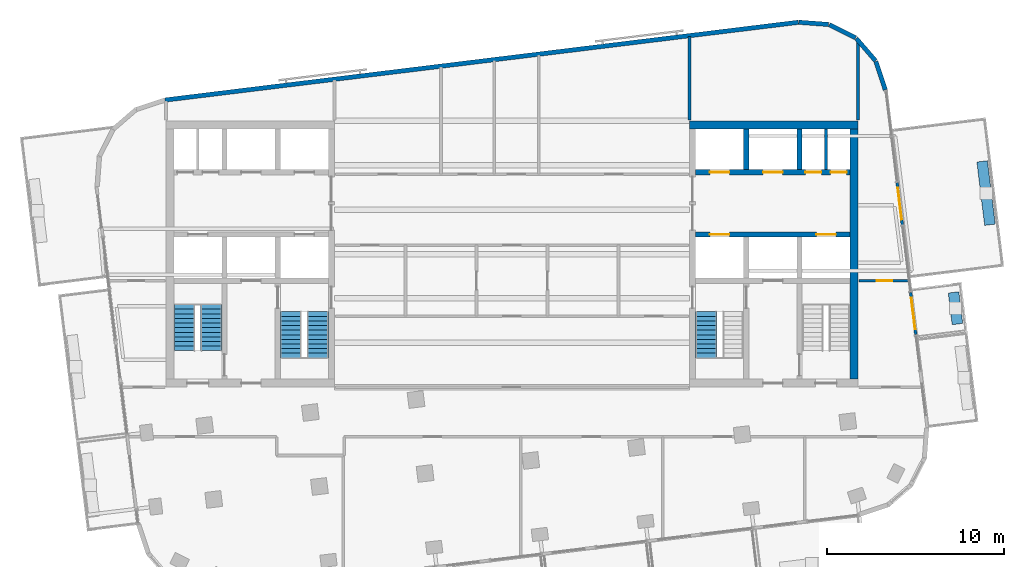
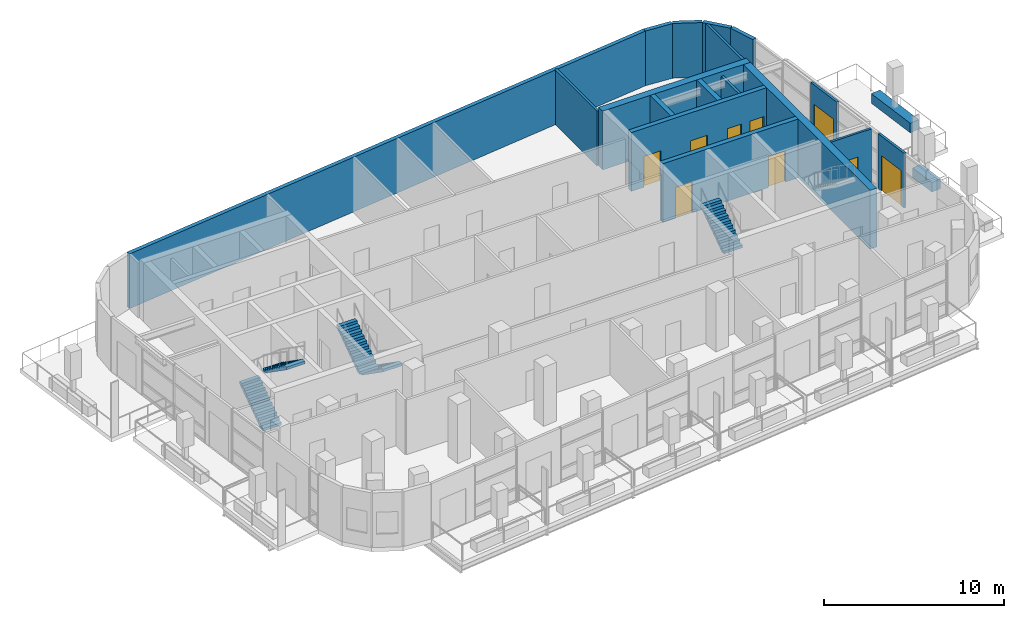
# One storey, part 10 of 14: 19 walls, 9 doors, 5 stair flights, 9 openings, 3 elements without a shape of their own.
"""IFC4 building model written with IfcOpenShell, lengths in metres."""

from ifc_helpers import new_model, si_unit, direction, frame, frame_2d, origin, place, context, subcontext, project, spatial, polyline, rectangle, outline, extrude, material, layer, layer_set, type_object, element, fill, aggregate, save


model = new_model("IFC4")

# Units and contexts
model_context = context("Model", 3, precision=1e-05, world=origin(), true_north=direction((0.0, 1.0)))
body_context = subcontext(model_context, "Body", "Model", "MODEL_VIEW")
ifc_project = project(units=[si_unit("LENGTHUNIT", "METRE"), si_unit("AREAUNIT", "SQUARE_METRE"), si_unit("VOLUMEUNIT", "CUBIC_METRE"), si_unit("PLANEANGLEUNIT", "RADIAN"), si_unit("MASSUNIT", "GRAM", prefix="KILO")], contexts=[model_context])

# Site, building, storey
site_placement = place(None, origin())
site = spatial("IfcSite", under=ifc_project, at=site_placement, CompositionType="ELEMENT")
building_placement = place(site_placement, origin())
building = spatial("IfcBuilding", under=site, at=building_placement, Name="Torana Hotel and Residences", CompositionType="ELEMENT")
storey_placement = place(building_placement, frame((0.0, 0.0, 338.60009765625)))
storey = spatial("IfcBuildingStorey", under=building, at=storey_placement, Name="L89", CompositionType="ELEMENT", Elevation=338.60009765625)

# Wall, openings, doors
ifc_material_1 = material(Name="Concrete C60/75", Category="concrete")
ifc_layer_1 = layer(ifc_material_1, 0.300048828125)
ifc_layer_set_1 = layer_set([ifc_layer_1], Name="CORE WALL 300 C60/75")
wall_type_1 = type_object("IfcWallType", Name="CORE WALL 300 C60/75", PredefinedType="SHEAR", material=ifc_layer_set_1)
wall_1_placement = place(storey_placement, frame((10.35009765625, -2.89990234375, 0.0), z_axis=(0.0, 0.0, 1.0), x_axis=(1.0, 0.0, 0.0)))
wall_1 = element("IfcWall", 1, at=wall_1_placement, inside=storey, type_object=wall_type_1, Name="Core wall E row-N", PredefinedType="SHEAR", context=body_context, shape_type="SweptSolid", body=[
    extrude(rectangle(XDim=8.699951171875, YDim=0.300048828125, at=frame_2d((4.35009765625, 0.0))), origin(), (0.0, 0.0, 1.0), 4.0),
])
opening_1_placement = place(wall_1_placement, frame((0.800048828125, 0.0, 0.0)))
opening_1 = element("IfcOpeningElement", 2, at=opening_1_placement, cuts=wall_1, Name="Opening LD", PredefinedType="OPENING", context=body_context, shape_type="SweptSolid", body=[
    extrude(rectangle(XDim=1.10009765625, YDim=2.10009765625, at=frame_2d((0.550048828125, 1.050048828125))), frame((0.0, 0.159912109375, 0.0), z_axis=(0.0, -1.0, 0.0), x_axis=(1.0, 0.0, 0.0)), (0.0, 0.0, 1.0), 0.320068359375),
])
opening_2_placement = place(wall_1_placement, frame((3.800048828125, 0.0, 0.0)))
opening_2 = element("IfcOpeningElement", 3, at=opening_2_placement, cuts=wall_1, Name="Opening LD", PredefinedType="OPENING", context=body_context, shape_type="SweptSolid", body=[
    extrude(rectangle(XDim=1.10009765625, YDim=2.10009765625, at=frame_2d((0.550048828125, 1.050048828125))), frame((0.0, 0.159912109375, 0.0), z_axis=(0.0, -1.0, 0.0), x_axis=(1.0, 0.0, 0.0)), (0.0, 0.0, 1.0), 0.320068359375),
])
opening_3_placement = place(wall_1_placement, frame((6.1875, 0.0, 0.0)))
opening_3 = element("IfcOpeningElement", 4, at=opening_3_placement, cuts=wall_1, Name="Opening L89-15", PredefinedType="OPENING", context=body_context, shape_type="SweptSolid", body=[
    extrude(rectangle(XDim=0.89990234375, YDim=2.10009765625, at=frame_2d((0.449951171875, 1.050048828125))), frame((0.0, 0.159912109375, 0.0), z_axis=(0.0, -1.0, 0.0), x_axis=(1.0, 0.0, 0.0)), (0.0, 0.0, 1.0), 0.320068359375),
])
opening_4_placement = place(wall_1_placement, frame((7.612548828125, 0.0, 0.0)))
opening_4 = element("IfcOpeningElement", 5, at=opening_4_placement, cuts=wall_1, Name="Opening L89-16", PredefinedType="OPENING", context=body_context, shape_type="SweptSolid", body=[
    extrude(rectangle(XDim=0.89990234375, YDim=2.10009765625, at=frame_2d((0.449951171875, 1.050048828125))), frame((0.0, 0.159912109375, 0.0), z_axis=(0.0, -1.0, 0.0), x_axis=(1.0, 0.0, 0.0)), (0.0, 0.0, 1.0), 0.320068359375),
])
ifc_material_2 = material(Name="Stainless steel 316", Category="steel")
door_type_1 = type_object("IfcDoorType", Name="LIFT LANDING DOOR LD 1100x2100", OperationType="DOUBLE_DOOR_SLIDING", PredefinedType="USERDEFINED", material=ifc_material_2)
door_1_placement = place(opening_1_placement, origin())
door_1 = element("IfcDoor", 6, at=door_1_placement, inside=storey, type_object=door_type_1, Name="Lift landing door H3 L89", ObjectType="LIFT LANDING DOOR", OperationType="DOUBLE_DOOR_SLIDING", OverallHeight=2.10009765625, OverallWidth=1.10009765625, PredefinedType="USERDEFINED", context=body_context, shape_type="SweptSolid", body=[
    extrude(rectangle(XDim=1.10009765625, YDim=2.10009765625, at=frame_2d((0.550048828125, 1.050048828125))), frame((0.0, 0.02490234375, 0.0), z_axis=(0.0, -1.0, 0.0), x_axis=(1.0, 0.0, 0.0)), (0.0, 0.0, 1.0), 0.050048828125),
])
fill(opening_1, door_1)
door_2_placement = place(opening_2_placement, origin())
door_2 = element("IfcDoor", 7, at=door_2_placement, inside=storey, type_object=door_type_1, Name="Lift landing door H4 L89", ObjectType="LIFT LANDING DOOR", OperationType="DOUBLE_DOOR_SLIDING", OverallHeight=2.10009765625, OverallWidth=1.10009765625, PredefinedType="USERDEFINED", context=body_context, shape_type="SweptSolid", body=[
    extrude(rectangle(XDim=1.10009765625, YDim=2.10009765625, at=frame_2d((0.550048828125, 1.050048828125))), frame((0.0, 0.02490234375, 0.0), z_axis=(0.0, -1.0, 0.0), x_axis=(1.0, 0.0, 0.0)), (0.0, 0.0, 1.0), 0.050048828125),
])
fill(opening_2, door_2)
ifc_material_3 = material(Name="Steel S235", Category="steel")
door_type_2 = type_object("IfcDoorType", Name="RISER ACCESS DOOR D5 900x2100", OperationType="SINGLE_SWING_LEFT", PredefinedType="DOOR", material=ifc_material_3)
door_3_placement = place(opening_3_placement, origin())
door_3 = element("IfcDoor", 8, at=door_3_placement, inside=storey, type_object=door_type_2, Name="N2A door L89", OperationType="SINGLE_SWING_RIGHT", OverallHeight=2.10009765625, OverallWidth=0.89990234375, PredefinedType="DOOR", context=body_context, shape_type="SweptSolid", body=[
    extrude(rectangle(XDim=0.89990234375, YDim=2.10009765625, at=frame_2d((0.449951171875, 1.050048828125))), frame((0.0, 0.02490234375, 0.0), z_axis=(0.0, -1.0, 0.0), x_axis=(1.0, 0.0, 0.0)), (0.0, 0.0, 1.0), 0.050048828125),
])
fill(opening_3, door_3)
door_4_placement = place(opening_4_placement, origin())
door_4 = element("IfcDoor", 9, at=door_4_placement, inside=storey, type_object=door_type_2, Name="N2B door L89", OperationType="SINGLE_SWING_RIGHT", OverallHeight=2.10009765625, OverallWidth=0.89990234375, PredefinedType="DOOR", context=body_context, shape_type="SweptSolid", body=[
    extrude(rectangle(XDim=0.89990234375, YDim=2.10009765625, at=frame_2d((0.449951171875, 1.050048828125))), frame((0.0, 0.02490234375, 0.0), z_axis=(0.0, -1.0, 0.0), x_axis=(1.0, 0.0, 0.0)), (0.0, 0.0, 1.0), 0.050048828125),
])
fill(opening_4, door_4)

wall_2_placement = place(storey_placement, frame((10.35009765625, -6.39990234375, 0.0), z_axis=(0.0, 0.0, 1.0), x_axis=(1.0, 0.0, 0.0)))
wall_2 = element("IfcWall", 10, at=wall_2_placement, inside=storey, type_object=wall_type_1, Name="Core wall E row-S", PredefinedType="SHEAR", context=body_context, shape_type="SweptSolid", body=[
    extrude(rectangle(XDim=8.699951171875, YDim=0.300048828125, at=frame_2d((4.35009765625, 0.0))), origin(), (0.0, 0.0, 1.0), 4.0),
])
opening_5_placement = place(wall_2_placement, frame((0.800048828125, 0.0, 0.0)))
opening_5 = element("IfcOpeningElement", 11, at=opening_5_placement, cuts=wall_2, Name="Opening LD", PredefinedType="OPENING", context=body_context, shape_type="SweptSolid", body=[
    extrude(rectangle(XDim=1.10009765625, YDim=2.10009765625, at=frame_2d((0.550048828125, 1.050048828125))), frame((0.0, 0.159912109375, 0.0), z_axis=(0.0, -1.0, 0.0), x_axis=(1.0, 0.0, 0.0)), (0.0, 0.0, 1.0), 0.320068359375),
])
opening_6_placement = place(wall_2_placement, frame((6.800048828125, 0.0, 0.0)))
opening_6 = element("IfcOpeningElement", 12, at=opening_6_placement, cuts=wall_2, Name="Opening LD", PredefinedType="OPENING", context=body_context, shape_type="SweptSolid", body=[
    extrude(rectangle(XDim=1.10009765625, YDim=2.10009765625, at=frame_2d((0.550048828125, 1.050048828125))), frame((0.0, 0.159912109375, 0.0), z_axis=(0.0, -1.0, 0.0), x_axis=(1.0, 0.0, 0.0)), (0.0, 0.0, 1.0), 0.320068359375),
])
door_5_placement = place(opening_5_placement, origin())
door_5 = element("IfcDoor", 13, at=door_5_placement, inside=storey, type_object=door_type_1, Name="Lift landing door X2 L89", ObjectType="LIFT LANDING DOOR", OperationType="DOUBLE_DOOR_SLIDING", OverallHeight=2.10009765625, OverallWidth=1.10009765625, PredefinedType="USERDEFINED", context=body_context, shape_type="SweptSolid", body=[
    extrude(rectangle(XDim=1.10009765625, YDim=2.10009765625, at=frame_2d((0.550048828125, 1.050048828125))), frame((0.0, 0.02490234375, 0.0), z_axis=(0.0, -1.0, 0.0), x_axis=(1.0, 0.0, 0.0)), (0.0, 0.0, 1.0), 0.050048828125),
])
fill(opening_5, door_5)
door_6_placement = place(opening_6_placement, origin())
door_6 = element("IfcDoor", 14, at=door_6_placement, inside=storey, type_object=door_type_1, Name="Lift landing door SV2 L89", ObjectType="LIFT LANDING DOOR", OperationType="DOUBLE_DOOR_SLIDING", OverallHeight=2.10009765625, OverallWidth=1.10009765625, PredefinedType="USERDEFINED", context=body_context, shape_type="SweptSolid", body=[
    extrude(rectangle(XDim=1.10009765625, YDim=2.10009765625, at=frame_2d((0.550048828125, 1.050048828125))), frame((0.0, 0.02490234375, 0.0), z_axis=(0.0, -1.0, 0.0), x_axis=(1.0, 0.0, 0.0)), (0.0, 0.0, 1.0), 0.050048828125),
])
fill(opening_6, door_6)

# Walls
for number, where, z_axis, x_axis, name in (
    (15, (13.199951171875, -2.75, 0.0), (0.0, 0.0, 1.0), (0.0, 1.0, 0.0), "Core wall E x3.05-N"),
    (16, (16.199951171875, -2.75, 0.0), (0.0, 0.0, 1.0), (0.0, 1.0, 0.0), "Core wall E x6.05-N"),
):
    element("IfcWall", number, at=place(storey_placement, frame(where, z_axis=z_axis, x_axis=x_axis)), inside=storey, type_object=wall_type_1, Name=name, PredefinedType="SHEAR", context=body_context, shape_type="SweptSolid", body=[
        extrude(rectangle(XDim=2.300048828125, YDim=0.300048828125, at=frame_2d((1.14990234375, 0.0))), origin(), (0.0, 0.0, 1.0), 4.0),
    ])
ifc_material_4 = material(Name="Concrete C60/75", Category="concrete")
ifc_layer_2 = layer(ifc_material_4, 0.449951171875)
ifc_layer_set_2 = layer_set([ifc_layer_2], Name="CORE WALL 450 C60/75")
wall_type_2 = type_object("IfcWallType", Name="CORE WALL 450 C60/75", PredefinedType="SHEAR", material=ifc_layer_set_2)
wall_3_placement = place(storey_placement, frame((10.0, -0.22509765625, 0.0), z_axis=(0.0, 0.0, 1.0), x_axis=(1.0, 0.0, 0.0)))
element("IfcWall", 17, at=wall_3_placement, inside=storey, type_object=wall_type_2, Name="Core wall E rear", PredefinedType="SHEAR", context=body_context, shape_type="SweptSolid", body=[
    extrude(rectangle(XDim=9.5, YDim=0.449951171875, at=frame_2d((4.75, 0.0))), origin(), (0.0, 0.0, 1.0), 4.0),
])
wall_4_placement = place(storey_placement, frame((19.27490234375, -14.550048828125, 0.0), z_axis=(0.0, 0.0, 1.0), x_axis=(0.0, 1.0, 0.0)))
element("IfcWall", 18, at=wall_4_placement, inside=storey, type_object=wall_type_2, Name="Core wall E outer", PredefinedType="SHEAR", context=body_context, shape_type="SweptSolid", body=[
    extrude(rectangle(XDim=14.10009765625, YDim=0.449951171875, at=frame_2d((7.050048828125, 0.0))), origin(), (0.0, 0.0, 1.0), 4.0),
])
ifc_material_5 = material(Name="Black aluminium composite panel", Category="aluminium")
ifc_layer_3 = layer(ifc_material_5, 0.00390625, Name="Cladding", Category="cladding")
ifc_material_6 = material(Name="Ventilated air cavity")
ifc_layer_4 = layer(ifc_material_6, 0.0400390625, Name="Ventilated cavity", Category="cavity")
ifc_material_7 = material(Name="Mineral wool insulation")
ifc_layer_5 = layer(ifc_material_7, 0.090087890625, Name="Insulation", Category="insulation")
ifc_material_8 = material(Name="Steel S280GD", Category="steel")
ifc_layer_6 = layer(ifc_material_8, 0.092041015625, Name="Steel stud frame", Category="structure")
ifc_material_9 = material(Name="Fire rated plasterboard")
ifc_layer_7 = layer(ifc_material_9, 0.011962890625, Name="Inner board", Category="finish")
ifc_layer_8 = layer(ifc_material_9, 0.011962890625, Name="Second board", Category="finish")
ifc_layer_set_3 = layer_set([ifc_layer_3, ifc_layer_4, ifc_layer_5, ifc_layer_6, ifc_layer_7, ifc_layer_8], Name="EW1 EXTERNAL WALL BLACK METAL CLAD 250")
wall_type_3 = type_object("IfcWallType", Name="EW1 EXTERNAL WALL BLACK METAL CLAD 250", PredefinedType="SOLIDWALL", material=ifc_layer_set_3)
wall_5_placement = place(storey_placement, frame((21.035888671875, 1.754638671875, 0.0), z_axis=(0.0, 0.0, 1.0), x_axis=(-0.313046160822, 0.949737911844, 0.0)))
element("IfcWall", 19, at=wall_5_placement, inside=storey, type_object=wall_type_3, Name="External wall L89 e0.0", PredefinedType="SOLIDWALL", context=body_context, shape_type="SweptSolid", body=[
    extrude(rectangle(XDim=1.681396484375, YDim=0.25, at=frame_2d((0.8408203125, 0.0))), origin(), (0.0, 0.0, 1.0), 3.719970703125),
])
for number, where, z_axis, x_axis, name in (
    (20, (20.4853515625, 3.39404296875, 0.0), (0.0, 0.0, 1.0), (-0.652755886531, 0.757568315466, 0.0), "External wall L89 e0.1"),
    (21, (19.36572265625, 4.678955078125, 0.0), (0.0, 0.0, 1.0), (-0.893007580524, 0.450041621549, 0.0), "External wall L89 e0.2"),
):
    element("IfcWall", number, at=place(storey_placement, frame(where, z_axis=z_axis, x_axis=x_axis)), inside=storey, type_object=wall_type_3, Name=name, PredefinedType="SOLIDWALL", context=body_context, shape_type="SweptSolid", body=[
        extrude(rectangle(XDim=1.65625, YDim=0.25, at=frame_2d((0.828125, 0.0))), origin(), (0.0, 0.0, 1.0), 3.719970703125),
    ])
wall_6_placement = place(storey_placement, frame((17.839599609375, 5.4375, 0.0), z_axis=(0.0, 0.0, 1.0), x_axis=(-0.997254267475, 0.074053534713, 0.0)))
element("IfcWall", 22, at=wall_6_placement, inside=storey, type_object=wall_type_3, Name="External wall L89 e0.3", PredefinedType="SOLIDWALL", context=body_context, shape_type="SweptSolid", body=[
    extrude(rectangle(XDim=1.681396484375, YDim=0.25, at=frame_2d((0.8408203125, 0.0))), origin(), (0.0, 0.0, 1.0), 3.719970703125),
])
ifc_material_10 = material(Name="Concrete C40/50 precast", Category="concrete")
ifc_layer_9 = layer(ifc_material_10, 0.10009765625, Name="Perforated block", Category="cladding")
ifc_material_11 = material(Name="Air cavity")
ifc_layer_10 = layer(ifc_material_11, 0.030029296875, Name="Cavity", Category="cavity")
ifc_material_12 = material(Name="Concrete C40/50", Category="concrete")
ifc_layer_11 = layer(ifc_material_12, 0.10009765625, Name="Wall", Category="structure")
ifc_material_13 = material(Name="Plaster and paint")
ifc_layer_12 = layer(ifc_material_13, 0.02001953125, Name="Inner finish", Category="finish")
ifc_layer_set_4 = layer_set([ifc_layer_9, ifc_layer_10, ifc_layer_11, ifc_layer_12], Name="EW2 PERFORATED BLOCK SCREEN WALL 250")
wall_type_4 = type_object("IfcWallType", Name="EW2 PERFORATED BLOCK SCREEN WALL 250", PredefinedType="SOLIDWALL", material=ifc_layer_set_4)
wall_7_placement = place(storey_placement, frame((16.13818359375, 5.561279296875, 0.0), z_axis=(0.0, 0.0, 1.0), x_axis=(-0.992546726876, -0.121864658405, 0.0)))
element("IfcWall", 23, at=wall_7_placement, inside=storey, type_object=wall_type_4, Name="External wall L89 e0.4", PredefinedType="SOLIDWALL", context=body_context, shape_type="SweptSolid", body=[
    extrude(rectangle(XDim=35.95068359375, YDim=0.25, at=frame_2d((17.975341796875, 0.0))), origin(), (0.0, 0.0, 1.0), 3.719970703125),
])
ifc_material_14 = material(Name="Gypsum plaster")
ifc_layer_13 = layer(ifc_material_14, 0.014892578125, Name="Plaster", Category="finish")
ifc_material_15 = material(Name="Concrete blockwork", Category="masonry")
ifc_layer_14 = layer(ifc_material_15, 0.1201171875, Name="Blockwork", Category="structure")
ifc_layer_15 = layer(ifc_material_14, 0.014892578125, Name="Plaster", Category="finish")
ifc_layer_set_5 = layer_set([ifc_layer_13, ifc_layer_14, ifc_layer_15], Name="FIRE PARTITION 150 BLOCKWORK")
wall_type_5 = type_object("IfcWallType", Name="FIRE PARTITION 150 BLOCKWORK", PredefinedType="PARTITIONING", material=ifc_layer_set_5)
wall_8_placement = place(storey_placement, frame((17.699951171875, -2.75, 0.0), z_axis=(0.0, 0.0, 1.0), x_axis=(0.0, 1.0, 0.0)))
element("IfcWall", 24, at=wall_8_placement, inside=storey, type_object=wall_type_5, Name="Core partition L89", PredefinedType="PARTITIONING", context=body_context, shape_type="SweptSolid", body=[
    extrude(rectangle(XDim=2.300048828125, YDim=0.14990234375, at=frame_2d((1.14990234375, 0.0))), origin(), (0.0, 0.0, 1.0), 3.699951171875),
])

# Wall, opening, door
ifc_material_16 = material(Name="Dark glass screen in aluminium frame", Category="aluminium")
ifc_layer_16 = layer(ifc_material_16, 0.14990234375)
ifc_layer_set_6 = layer_set([ifc_layer_16], Name="GS1 GLAZED DOOR SCREEN 150")
wall_type_6 = type_object("IfcWallType", Name="GS1 GLAZED DOOR SCREEN 150", PredefinedType="USERDEFINED", material=ifc_layer_set_6)
wall_9_placement = place(storey_placement, frame((22.757080078125, -12.0380859375, 0.0), z_axis=(0.0, 0.0, 1.0), x_axis=(-0.121868445399, 0.992546261902, 0.0)))
wall_9 = element("IfcWall", 25, at=wall_9_placement, inside=storey, type_object=wall_type_6, Name="Glazed door screen L89", ObjectType="GLAZED SCREEN", PredefinedType="USERDEFINED", context=body_context, shape_type="SweptSolid", body=[
    extrude(rectangle(XDim=2.39990234375, YDim=0.14990234375, at=frame_2d((1.199951171875, 0.0))), origin(), (0.0, 0.0, 1.0), 3.719970703125),
])
opening_7_placement = place(wall_9_placement, frame((0.300048828125, 0.0, 0.0)))
opening_7 = element("IfcOpeningElement", 26, at=opening_7_placement, cuts=wall_9, Name="Opening L89-E11", PredefinedType="OPENING", context=body_context, shape_type="SweptSolid", body=[
    extrude(rectangle(XDim=1.800048828125, YDim=2.39990234375, at=frame_2d((0.89990234375, 1.199951171875))), frame((0.0, 0.0849609375, 0.0), z_axis=(0.0, -1.0, 0.0), x_axis=(1.0, 0.0, 0.0)), (0.0, 0.0, 1.0), 0.169921875),
])
ifc_material_17 = material(Name="Dark glass in black aluminium frame", Category="aluminium")
door_type_3 = type_object("IfcDoorType", Name="DB1 BALCONY DOOR 1800x2400", OperationType="DOUBLE_DOOR_SINGLE_SWING", PredefinedType="DOOR", material=ifc_material_17)
door_7_placement = place(opening_7_placement, origin())
door_7 = element("IfcDoor", 27, at=door_7_placement, inside=storey, type_object=door_type_3, Name="Balcony door L89", OperationType="DOUBLE_DOOR_SINGLE_SWING", OverallHeight=2.39990234375, OverallWidth=1.800048828125, PredefinedType="DOOR", context=body_context, shape_type="SweptSolid", body=[
    extrude(rectangle(XDim=1.800048828125, YDim=2.39990234375, at=frame_2d((0.89990234375, 1.199951171875))), frame((0.0, 0.02490234375, 0.0), z_axis=(0.0, -1.0, 0.0), x_axis=(1.0, 0.0, 0.0)), (0.0, 0.0, 1.0), 0.050048828125),
])
fill(opening_7, door_7)

wall_10_placement = place(storey_placement, frame((21.99755859375, -5.853271484375, 0.0), z_axis=(0.0, 0.0, 1.0), x_axis=(-0.121868445399, 0.992546261902, 0.0)))
wall_10 = element("IfcWall", 28, at=wall_10_placement, inside=storey, type_object=wall_type_6, Name="Glazed door screen L89", ObjectType="GLAZED SCREEN", PredefinedType="USERDEFINED", context=body_context, shape_type="SweptSolid", body=[
    extrude(rectangle(XDim=2.39990234375, YDim=0.14990234375, at=frame_2d((1.199951171875, 0.0))), origin(), (0.0, 0.0, 1.0), 3.719970703125),
])
opening_8_placement = place(wall_10_placement, frame((0.300048828125, 0.0, 0.0)))
opening_8 = element("IfcOpeningElement", 29, at=opening_8_placement, cuts=wall_10, Name="Opening L89-E12", PredefinedType="OPENING", context=body_context, shape_type="SweptSolid", body=[
    extrude(rectangle(XDim=1.800048828125, YDim=2.39990234375, at=frame_2d((0.89990234375, 1.199951171875))), frame((0.0, 0.0849609375, 0.0), z_axis=(0.0, -1.0, 0.0), x_axis=(1.0, 0.0, 0.0)), (0.0, 0.0, 1.0), 0.169921875),
])
door_8_placement = place(opening_8_placement, origin())
door_8 = element("IfcDoor", 30, at=door_8_placement, inside=storey, type_object=door_type_3, Name="Balcony door L89", OperationType="DOUBLE_DOOR_SINGLE_SWING", OverallHeight=2.39990234375, OverallWidth=1.800048828125, PredefinedType="DOOR", context=body_context, shape_type="SweptSolid", body=[
    extrude(rectangle(XDim=1.800048828125, YDim=2.39990234375, at=frame_2d((0.89990234375, 1.199951171875))), frame((0.0, 0.02490234375, 0.0), z_axis=(0.0, -1.0, 0.0), x_axis=(1.0, 0.0, 0.0)), (0.0, 0.0, 1.0), 0.050048828125),
])
fill(opening_8, door_8)

# Walls
ifc_material_18 = material(Name="Gypsum plasterboard")
ifc_layer_17 = layer(ifc_material_18, 0.012451171875, Name="Plasterboard", Category="finish")
ifc_layer_18 = layer(ifc_material_18, 0.012451171875, Name="Plasterboard", Category="finish")
ifc_layer_19 = layer(ifc_material_8, 0.10009765625, Name="Steel studs with mineral wool", Category="insulation")
ifc_layer_20 = layer(ifc_material_18, 0.012451171875, Name="Plasterboard", Category="finish")
ifc_layer_21 = layer(ifc_material_18, 0.012451171875, Name="Plasterboard", Category="finish")
ifc_layer_set_7 = layer_set([ifc_layer_17, ifc_layer_18, ifc_layer_19, ifc_layer_20, ifc_layer_21], Name="PARTITION 150 PLASTERBOARD")
wall_type_7 = type_object("IfcWallType", Name="PARTITION 150 PLASTERBOARD", PredefinedType="PARTITIONING", material=ifc_layer_set_7)
wall_11_placement = place(storey_placement, frame((19.5, 0.050048828125, 0.0), z_axis=(0.0, 0.0, 1.0), x_axis=(0.0, 1.0, 0.0)))
element("IfcWall", 31, at=wall_11_placement, inside=storey, type_object=wall_type_7, Name="Partition L89", PredefinedType="PARTITIONING", context=body_context, shape_type="SweptSolid", body=[
    extrude(rectangle(XDim=4.4033203125, YDim=0.14990234375, at=frame_2d((2.20166015625, 0.0))), origin(), (0.0, 0.0, 1.0), 3.719970703125),
])
wall_12_placement = place(storey_placement, frame((10.0, 0.050048828125, 0.0), z_axis=(0.0, 0.0, 1.0), x_axis=(0.0, 1.0, 0.0)))
element("IfcWall", 32, at=wall_12_placement, inside=storey, type_object=wall_type_7, Name="Partition L89", PredefinedType="PARTITIONING", context=body_context, shape_type="SweptSolid", body=[
    extrude(rectangle(XDim=4.7021484375, YDim=0.14990234375, at=frame_2d((2.35107421875, 0.0))), origin(), (0.0, 0.0, 1.0), 3.719970703125),
])

# Wall, opening, door
wall_13_placement = place(storey_placement, frame((19.550048828125, -9.0, 0.0), z_axis=(0.0, 0.0, 1.0), x_axis=(1.0, 0.0, 0.0)))
wall_13 = element("IfcWall", 33, at=wall_13_placement, inside=storey, type_object=wall_type_7, Name="Partition L89", PredefinedType="PARTITIONING", context=body_context, shape_type="SweptSolid", body=[
    extrude(rectangle(XDim=2.75341796875, YDim=0.14990234375, at=frame_2d((1.376708984375, 0.0))), origin(), (0.0, 0.0, 1.0), 3.719970703125),
])
opening_9_placement = place(wall_13_placement, frame((0.991943359375, 0.0, 0.0)))
opening_9 = element("IfcOpeningElement", 34, at=opening_9_placement, cuts=wall_13, Name="Opening L89-38", PredefinedType="OPENING", context=body_context, shape_type="SweptSolid", body=[
    extrude(rectangle(XDim=0.89990234375, YDim=2.10009765625, at=frame_2d((0.449951171875, 1.050048828125))), frame((0.0, 0.0849609375, 0.0), z_axis=(0.0, -1.0, 0.0), x_axis=(1.0, 0.0, 0.0)), (0.0, 0.0, 1.0), 0.169921875),
])
ifc_material_19 = material(Name="Timber door, oiled ash", Category="wood")
door_type_4 = type_object("IfcDoorType", Name="ROOM DOOR D7 900x2100", OperationType="SINGLE_SWING_LEFT", PredefinedType="DOOR", material=ifc_material_19)
door_9_placement = place(opening_9_placement, origin())
door_9 = element("IfcDoor", 35, at=door_9_placement, inside=storey, type_object=door_type_4, Name="Door L89", OperationType="SINGLE_SWING_LEFT", OverallHeight=2.10009765625, OverallWidth=0.89990234375, PredefinedType="DOOR", context=body_context, shape_type="SweptSolid", body=[
    extrude(rectangle(XDim=0.89990234375, YDim=2.10009765625, at=frame_2d((0.449951171875, 1.050048828125))), frame((0.0, 0.02490234375, 0.0), z_axis=(0.0, -1.0, 0.0), x_axis=(1.0, 0.0, 0.0)), (0.0, 0.0, 1.0), 0.050048828125),
])
fill(opening_9, door_9)

# Walls
ifc_layer_22 = layer(ifc_material_10, 0.10009765625, Name="Planter shell", Category="structure")
ifc_material_20 = material(Name="Root resistant membrane")
ifc_layer_23 = layer(ifc_material_20, 0.00390625, Name="Waterproofing membrane", Category="membrane")
ifc_material_21 = material(Name="Drainage board with filter fleece")
ifc_layer_24 = layer(ifc_material_21, 0.02001953125, Name="Drainage board", Category="drainage")
ifc_material_22 = material(Name="Growing medium")
ifc_layer_25 = layer(ifc_material_22, 0.47607421875, Name="Planting substrate", Category="soil")
ifc_layer_set_8 = layer_set([ifc_layer_22, ifc_layer_23, ifc_layer_24, ifc_layer_25], Name="PL1 BALCONY PLANTER 600")
wall_type_8 = type_object("IfcWallType", Name="PL1 BALCONY PLANTER 600", PredefinedType="USERDEFINED", material=ifc_layer_set_8)
wall_14_placement = place(storey_placement, frame((24.88330078125, -9.66162109375, 0.0), z_axis=(0.0, 0.0, 1.0), x_axis=(0.121830336845, -0.992550940267, 0.0)))
element("IfcWall", 36, at=wall_14_placement, inside=storey, type_object=wall_type_8, Name="Planter 11", ObjectType="PLANTER", PredefinedType="USERDEFINED", context=body_context, shape_type="SweptSolid", body=[
    extrude(rectangle(XDim=1.799560546875, YDim=0.60009765625, at=frame_2d((0.89990234375, 0.0))), origin(), (0.0, 0.0, 1.0), 0.64990234375),
])
wall_15_placement = place(storey_placement, frame((26.49560546875, -2.2783203125, 0.0), z_axis=(0.0, 0.0, 1.0), x_axis=(0.121864343918, -0.992546765488, 0.0)))
element("IfcWall", 37, at=wall_15_placement, inside=storey, type_object=wall_type_8, Name="Planter 12", ObjectType="PLANTER", PredefinedType="USERDEFINED", context=body_context, shape_type="SweptSolid", body=[
    extrude(rectangle(XDim=3.60009765625, YDim=0.60009765625, at=frame_2d((1.800048828125, 0.0))), origin(), (0.0, 0.0, 1.0), 0.64990234375),
])

# Stair, stair flights
ifc_material_23 = material(Name="Concrete C40/50 precast", Category="concrete")
stair_type_1 = type_object("IfcStairType", Name="STAIR ST1 HALF TURN 1200", PredefinedType="HALF_TURN_STAIR", material=ifc_material_23)
stair_1_placement = place(storey_placement, origin())
stair_1 = element("IfcStair", 38, at=stair_1_placement, inside=storey, type_object=stair_type_1, Name="Stair ST1 L89", PredefinedType="HALF_TURN_STAIR")
ifc_material_24 = material(Name="Concrete C40/50 precast", Category="concrete")
stair_flight_type = type_object("IfcStairFlightType", Name="STAIR FLIGHT 1200 PRECAST", PredefinedType="STRAIGHT", material=ifc_material_24)
stair_flight_1_placement = place(storey_placement, frame((-10.949951171875, -10.75, 0.0), z_axis=(0.0, 0.0, 1.0), x_axis=(0.0, -1.0, 0.0)))
stair_flight_1 = element("IfcStairFlight", 39, at=stair_flight_1_placement, type_object=stair_flight_type, Name="ST1 flight 1", NumberOfRisers=11, NumberOfTreads=10, PredefinedType="STRAIGHT", RiserHeight=0.181818182, TreadLength=0.26, context=body_context, shape_type="SweptSolid", body=[
    extrude(outline(polyline([(0.0, 0.0), (0.0, 0.181884765625), (0.260009765625, 0.181884765625), (0.260009765625, 0.363525390625), (0.52001953125, 0.363525390625), (0.52001953125, 0.54541015625), (0.780029296875, 0.54541015625), (0.780029296875, 0.727294921875), (1.0400390625, 0.727294921875), (1.0400390625, 0.9091796875), (1.300048828125, 0.9091796875), (1.300048828125, 1.0908203125), (1.56005859375, 1.0908203125), (1.56005859375, 1.272705078125), (1.820068359375, 1.272705078125), (1.820068359375, 1.45458984375), (2.080078125, 1.45458984375), (2.080078125, 1.636474609375), (2.340087890625, 1.636474609375), (2.340087890625, 1.818115234375), (2.60009765625, 1.818115234375), (2.60009765625, 2.0), (2.60009765625, 1.63525390625), (0.261474609375, 0.0), (0.0, 0.0)])), frame((0.0, 0.60009765625, 0.0), z_axis=(0.0, -1.0, 0.0), x_axis=(1.0, 0.0, 0.0)), (0.0, 0.0, 1.0), 1.199951171875),
])
stair_flight_2_placement = place(storey_placement, frame((-12.449951171875, -13.35009765625, 2.0), z_axis=(0.0, 0.0, 1.0), x_axis=(0.0, 1.0, 0.0)))
stair_flight_2 = element("IfcStairFlight", 40, at=stair_flight_2_placement, type_object=stair_flight_type, Name="ST1 flight 2", NumberOfRisers=11, NumberOfTreads=10, PredefinedType="STRAIGHT", RiserHeight=0.181818182, TreadLength=0.26, context=body_context, shape_type="SweptSolid", body=[
    extrude(outline(polyline([(0.0, 0.0), (0.0, 0.181884765625), (0.260009765625, 0.181884765625), (0.260009765625, 0.363525390625), (0.52001953125, 0.363525390625), (0.52001953125, 0.54541015625), (0.780029296875, 0.54541015625), (0.780029296875, 0.727294921875), (1.0400390625, 0.727294921875), (1.0400390625, 0.9091796875), (1.300048828125, 0.9091796875), (1.300048828125, 1.0908203125), (1.56005859375, 1.0908203125), (1.56005859375, 1.272705078125), (1.820068359375, 1.272705078125), (1.820068359375, 1.45458984375), (2.080078125, 1.45458984375), (2.080078125, 1.636474609375), (2.340087890625, 1.636474609375), (2.340087890625, 1.818115234375), (2.60009765625, 1.818115234375), (2.60009765625, 2.0), (2.60009765625, 1.63525390625), (0.261474609375, 0.0), (0.0, 0.0)])), frame((0.0, 0.60009765625, 0.0), z_axis=(0.0, -1.0, 0.0), x_axis=(1.0, 0.0, 0.0)), (0.0, 0.0, 1.0), 1.199951171875),
])
aggregate(stair_1, [stair_flight_1, stair_flight_2])

ifc_material_25 = material(Name="Concrete C40/50 precast", Category="concrete")
stair_type_2 = type_object("IfcStairType", Name="STAIR ST2 HALF TURN 1200", PredefinedType="HALF_TURN_STAIR", material=ifc_material_25)
stair_2_placement = place(storey_placement, origin())
stair_2 = element("IfcStair", 41, at=stair_2_placement, inside=storey, type_object=stair_type_2, Name="Stair ST2 L89", PredefinedType="HALF_TURN_STAIR")
stair_flight_3_placement = place(storey_placement, frame((-18.449951171875, -12.949951171875, 0.0), z_axis=(0.0, 0.0, 1.0), x_axis=(0.0, 1.0, 0.0)))
stair_flight_3 = element("IfcStairFlight", 42, at=stair_flight_3_placement, type_object=stair_flight_type, Name="ST2 flight 1", NumberOfRisers=11, NumberOfTreads=10, PredefinedType="STRAIGHT", RiserHeight=0.181818182, TreadLength=0.26, context=body_context, shape_type="SweptSolid", body=[
    extrude(outline(polyline([(0.0, 0.0), (0.0, 0.181884765625), (0.260009765625, 0.181884765625), (0.260009765625, 0.363525390625), (0.52001953125, 0.363525390625), (0.52001953125, 0.54541015625), (0.780029296875, 0.54541015625), (0.780029296875, 0.727294921875), (1.0400390625, 0.727294921875), (1.0400390625, 0.9091796875), (1.300048828125, 0.9091796875), (1.300048828125, 1.0908203125), (1.56005859375, 1.0908203125), (1.56005859375, 1.272705078125), (1.820068359375, 1.272705078125), (1.820068359375, 1.45458984375), (2.080078125, 1.45458984375), (2.080078125, 1.636474609375), (2.340087890625, 1.636474609375), (2.340087890625, 1.818115234375), (2.60009765625, 1.818115234375), (2.60009765625, 2.0), (2.60009765625, 1.63525390625), (0.261474609375, 0.0), (0.0, 0.0)])), frame((0.0, 0.60009765625, 0.0), z_axis=(0.0, -1.0, 0.0), x_axis=(1.0, 0.0, 0.0)), (0.0, 0.0, 1.0), 1.199951171875),
])
stair_flight_4_placement = place(storey_placement, frame((-16.949951171875, -10.35009765625, 2.0), z_axis=(0.0, 0.0, 1.0), x_axis=(0.0, -1.0, 0.0)))
stair_flight_4 = element("IfcStairFlight", 43, at=stair_flight_4_placement, type_object=stair_flight_type, Name="ST2 flight 2", NumberOfRisers=11, NumberOfTreads=10, PredefinedType="STRAIGHT", RiserHeight=0.181818182, TreadLength=0.26, context=body_context, shape_type="SweptSolid", body=[
    extrude(outline(polyline([(0.0, 0.0), (0.0, 0.181884765625), (0.260009765625, 0.181884765625), (0.260009765625, 0.363525390625), (0.52001953125, 0.363525390625), (0.52001953125, 0.54541015625), (0.780029296875, 0.54541015625), (0.780029296875, 0.727294921875), (1.0400390625, 0.727294921875), (1.0400390625, 0.9091796875), (1.300048828125, 0.9091796875), (1.300048828125, 1.0908203125), (1.56005859375, 1.0908203125), (1.56005859375, 1.272705078125), (1.820068359375, 1.272705078125), (1.820068359375, 1.45458984375), (2.080078125, 1.45458984375), (2.080078125, 1.636474609375), (2.340087890625, 1.636474609375), (2.340087890625, 1.818115234375), (2.60009765625, 1.818115234375), (2.60009765625, 2.0), (2.60009765625, 1.63525390625), (0.261474609375, 0.0), (0.0, 0.0)])), frame((0.0, 0.60009765625, 0.0), z_axis=(0.0, -1.0, 0.0), x_axis=(1.0, 0.0, 0.0)), (0.0, 0.0, 1.0), 1.199951171875),
])
aggregate(stair_2, [stair_flight_3, stair_flight_4])

# Stair, stair flight
ifc_material_26 = material(Name="Concrete C40/50 precast", Category="concrete")
stair_type_3 = type_object("IfcStairType", Name="STAIR ST3 HALF TURN 1200", PredefinedType="HALF_TURN_STAIR", material=ifc_material_26)
stair_3_placement = place(storey_placement, origin())
stair_3 = element("IfcStair", 44, at=stair_3_placement, inside=storey, type_object=stair_type_3, Name="Stair ST3 L89", PredefinedType="HALF_TURN_STAIR")
stair_flight_5_placement = place(storey_placement, frame((10.949951171875, -13.35009765625, 2.0), z_axis=(0.0, 0.0, 1.0), x_axis=(0.0, 1.0, 0.0)))
stair_flight_5 = element("IfcStairFlight", 45, at=stair_flight_5_placement, type_object=stair_flight_type, Name="ST3 flight 2", NumberOfRisers=11, NumberOfTreads=10, PredefinedType="STRAIGHT", RiserHeight=0.181818182, TreadLength=0.26, context=body_context, shape_type="SweptSolid", body=[
    extrude(outline(polyline([(0.0, 0.0), (0.0, 0.181884765625), (0.260009765625, 0.181884765625), (0.260009765625, 0.363525390625), (0.52001953125, 0.363525390625), (0.52001953125, 0.54541015625), (0.780029296875, 0.54541015625), (0.780029296875, 0.727294921875), (1.0400390625, 0.727294921875), (1.0400390625, 0.9091796875), (1.300048828125, 0.9091796875), (1.300048828125, 1.0908203125), (1.56005859375, 1.0908203125), (1.56005859375, 1.272705078125), (1.820068359375, 1.272705078125), (1.820068359375, 1.45458984375), (2.080078125, 1.45458984375), (2.080078125, 1.636474609375), (2.340087890625, 1.636474609375), (2.340087890625, 1.818115234375), (2.60009765625, 1.818115234375), (2.60009765625, 2.0), (2.60009765625, 1.63525390625), (0.261474609375, 0.0), (0.0, 0.0)])), frame((0.0, 0.60009765625, 0.0), z_axis=(0.0, -1.0, 0.0), x_axis=(1.0, 0.0, 0.0)), (0.0, 0.0, 1.0), 1.199951171875),
])
aggregate(stair_3, [stair_flight_5])

save(model, "model.ifc")
